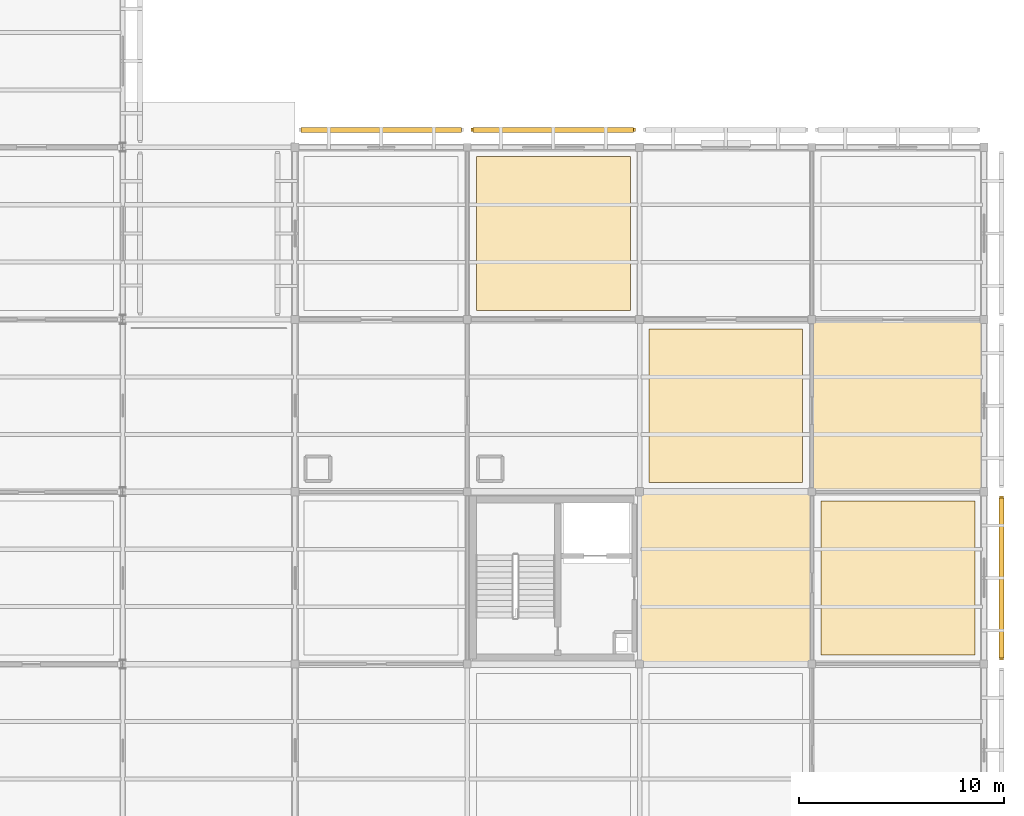
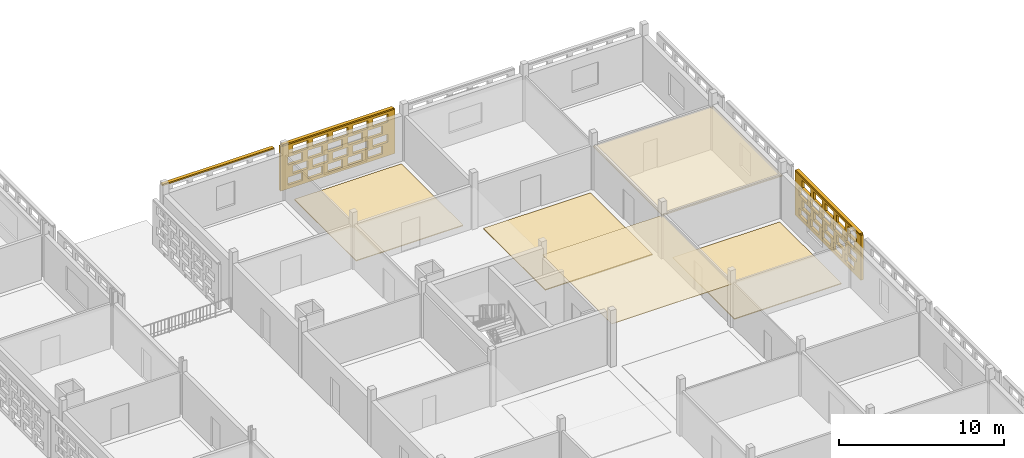
# One storey, part 138 of 140: 7 coverings, 3 shading devices, 40 openings.
"""IFC4 building model written with IfcOpenShell, lengths in metres."""

from ifc_helpers import new_model, si_unit, direction, frame, frame_2d, origin, origin_2d, place, context, subcontext, project, spatial, rectangle, extrude, material, layer, layer_set, type_object, element, save


model = new_model("IFC4")

# Units and contexts
model_context = context("Model", 3, precision=1e-05, world=origin(), true_north=direction((0.0, 1.0)))
body_context = subcontext(model_context, "Body", "Model", "MODEL_VIEW")
ifc_project = project(units=[si_unit("LENGTHUNIT", "METRE"), si_unit("AREAUNIT", "SQUARE_METRE"), si_unit("VOLUMEUNIT", "CUBIC_METRE"), si_unit("PLANEANGLEUNIT", "RADIAN"), si_unit("MASSUNIT", "GRAM", prefix="KILO")], contexts=[model_context])

# Site, building, storey
site_placement = place(None, origin())
site = spatial("IfcSite", under=ifc_project, at=site_placement, CompositionType="ELEMENT")
building_placement = place(site_placement, origin())
building = spatial("IfcBuilding", under=site, at=building_placement, Name="Varnapada Polytechnic", CompositionType="ELEMENT")
storey_placement = place(building_placement, frame((0.0, 0.0, 13.800048828125)))
storey = spatial("IfcBuildingStorey", under=building, at=storey_placement, Name="L03", CompositionType="ELEMENT", Elevation=13.800048828125)

# Coverings
ifc_material_1 = material(Name="Anti-Static Raised Laboratory Flooring")
ifc_layer_1 = layer(ifc_material_1, 0.06005859375)
ifc_layer_set_1 = layer_set([ifc_layer_1], Name="Anti-Static Raised Laboratory Flooring")
covering_type_1 = type_object("IfcCoveringType", Name="Floor Finish FLR-02", PredefinedType="FLOORING", material=ifc_layer_set_1)
for number, where, z_axis, x_axis, name in (
    (1, (155.39990234375, 113.39990234375, 0.0), (0.0, 0.0, 1.0), (1.0, 0.0, 0.0), "L03 floor finish panel (19,14)"),
    (2, (163.800048828125, 105.0, 0.0), (0.0, 0.0, 1.0), (1.0, 0.0, 0.0), "L03 floor finish panel (20,13)"),
    (3, (172.199951171875, 96.60009765625, 0.0), (0.0, 0.0, 1.0), (1.0, 0.0, 0.0), "L03 floor finish panel (21,12)"),
):
    element("IfcCovering", number, at=place(storey_placement, frame(where, z_axis=z_axis, x_axis=x_axis)), inside=storey, type_object=covering_type_1, Name=name, PredefinedType="FLOORING", context=body_context, shape_type="SweptSolid", body=[
        extrude(rectangle(XDim=7.5, YDim=7.5, at=origin_2d()), origin(), (0.0, 0.0, 1.0), 0.06005859375),
    ])
ifc_material_2 = material(Name="Cleanroom Laboratory Metal Pan Ceiling")
ifc_layer_2 = layer(ifc_material_2, 0.034912109375)
ifc_layer_set_2 = layer_set([ifc_layer_2], Name="Cleanroom Laboratory Metal Pan Ceiling")
covering_type_2 = type_object("IfcCoveringType", Name="Suspended Ceiling CLG-06", PredefinedType="CEILING", material=ifc_layer_set_2)
covering_1_placement = place(storey_placement, frame((163.800048828125, 96.60009765625, 3.03271484375), z_axis=(0.0, 0.0, 1.0), x_axis=(1.0, 0.0, 0.0)))
element("IfcCovering", 4, at=covering_1_placement, inside=storey, type_object=covering_type_2, Name="L03 suspended acoustic ceiling (20,12)", PredefinedType="CEILING", context=body_context, shape_type="SweptSolid", body=[
    extrude(rectangle(XDim=8.419921875, YDim=8.419921875, at=origin_2d()), origin(), (0.0, 0.0, 1.0), 0.034912109375),
])
ifc_material_3 = material(Name="Deep Acoustic Auditorium Cloud Baffle")
ifc_layer_3 = layer(ifc_material_3, 0.06494140625)
ifc_layer_set_3 = layer_set([ifc_layer_3], Name="Deep Acoustic Auditorium Cloud Baffle")
covering_type_3 = type_object("IfcCoveringType", Name="Suspended Ceiling CLG-07", PredefinedType="CEILING", material=ifc_layer_set_3)
covering_2_placement = place(storey_placement, frame((172.199951171875, 105.0, 3.017578125), z_axis=(0.0, 0.0, 1.0), x_axis=(1.0, 0.0, 0.0)))
element("IfcCovering", 5, at=covering_2_placement, inside=storey, type_object=covering_type_3, Name="L03 suspended acoustic ceiling (21,13)", PredefinedType="CEILING", context=body_context, shape_type="SweptSolid", body=[
    extrude(rectangle(XDim=8.419921875, YDim=8.419921875, at=origin_2d()), origin(), (0.0, 0.0, 1.0), 0.06494140625),
])

# Covering, openings
ifc_material_4 = material(Name="Earth-toned architectural terracotta screen block", Category="masonry")
ifc_layer_4 = layer(ifc_material_4, 0.1201171875)
ifc_layer_set_4 = layer_set([ifc_layer_4], Name="Earth-toned architectural terracotta screen block")
covering_type_4 = type_object("IfcCoveringType", Name="Terracotta Screen Cladding CLD-01", PredefinedType="CLADDING", material=ifc_layer_set_4)
covering_3_placement = place(storey_placement, frame((151.389892578125, 118.449951171875, 0.0), z_axis=(0.0, 0.0, 1.0), x_axis=(1.0, 0.0, 0.0)))
covering_3 = element("IfcCovering", 6, at=covering_3_placement, inside=storey, type_object=covering_type_4, Name="L03 perforated terracotta block screen (89)", PredefinedType="CLADDING", context=body_context, shape_type="SweptSolid", body=[
    extrude(rectangle(XDim=8.010009765625, YDim=0.179931640625, at=frame_2d((4.0048828125, 0.0))), origin(), (0.0, 0.0, 1.0), 3.320068359375),
])
opening_1_placement = place(covering_3_placement, frame((0.5048828125, 0.0, 0.265625)))
element("IfcOpeningElement", 7, at=opening_1_placement, cuts=covering_3, Name="Screen perforation TBS-L03-088.1", PredefinedType="OPENING", context=body_context, shape_type="SweptSolid", body=[
    extrude(rectangle(XDim=1.0400390625, YDim=0.5810546875, at=frame_2d((0.52001953125, 0.29052734375))), frame((0.0, 0.099853515625, 0.0), z_axis=(0.0, -1.0, 0.0), x_axis=(1.0, 0.0, 0.0)), (0.0, 0.0, 1.0), 0.199951171875),
])
opening_2_placement = place(covering_3_placement, frame((1.905029296875, 0.0, 0.265625)))
element("IfcOpeningElement", 8, at=opening_2_placement, cuts=covering_3, Name="Screen perforation TBS-L03-088.2", PredefinedType="OPENING", context=body_context, shape_type="SweptSolid", body=[
    extrude(rectangle(XDim=1.0400390625, YDim=0.5810546875, at=frame_2d((0.52001953125, 0.29052734375))), frame((0.0, 0.099853515625, 0.0), z_axis=(0.0, -1.0, 0.0), x_axis=(1.0, 0.0, 0.0)), (0.0, 0.0, 1.0), 0.199951171875),
])
opening_3_placement = place(covering_3_placement, frame((3.304931640625, 0.0, 0.265625)))
element("IfcOpeningElement", 9, at=opening_3_placement, cuts=covering_3, Name="Screen perforation TBS-L03-088.3", PredefinedType="OPENING", context=body_context, shape_type="SweptSolid", body=[
    extrude(rectangle(XDim=1.0400390625, YDim=0.5810546875, at=frame_2d((0.52001953125, 0.29052734375))), frame((0.0, 0.099853515625, 0.0), z_axis=(0.0, -1.0, 0.0), x_axis=(1.0, 0.0, 0.0)), (0.0, 0.0, 1.0), 0.199951171875),
])
opening_4_placement = place(covering_3_placement, frame((4.705078125, 0.0, 0.265625)))
element("IfcOpeningElement", 10, at=opening_4_placement, cuts=covering_3, Name="Screen perforation TBS-L03-088.4", PredefinedType="OPENING", context=body_context, shape_type="SweptSolid", body=[
    extrude(rectangle(XDim=1.0400390625, YDim=0.5810546875, at=frame_2d((0.52001953125, 0.29052734375))), frame((0.0, 0.099853515625, 0.0), z_axis=(0.0, -1.0, 0.0), x_axis=(1.0, 0.0, 0.0)), (0.0, 0.0, 1.0), 0.199951171875),
])
opening_5_placement = place(covering_3_placement, frame((6.10498046875, 0.0, 0.265625)))
element("IfcOpeningElement", 11, at=opening_5_placement, cuts=covering_3, Name="Screen perforation TBS-L03-088.5", PredefinedType="OPENING", context=body_context, shape_type="SweptSolid", body=[
    extrude(rectangle(XDim=1.0400390625, YDim=0.5810546875, at=frame_2d((0.52001953125, 0.29052734375))), frame((0.0, 0.099853515625, 0.0), z_axis=(0.0, -1.0, 0.0), x_axis=(1.0, 0.0, 0.0)), (0.0, 0.0, 1.0), 0.199951171875),
])
opening_6_placement = place(covering_3_placement, frame((0.864990234375, 0.0, 1.0126953125)))
element("IfcOpeningElement", 12, at=opening_6_placement, cuts=covering_3, Name="Screen perforation TBS-L03-088.6", PredefinedType="OPENING", context=body_context, shape_type="SweptSolid", body=[
    extrude(rectangle(XDim=1.0400390625, YDim=0.5810546875, at=frame_2d((0.52001953125, 0.29052734375))), frame((0.0, 0.099853515625, 0.0), z_axis=(0.0, -1.0, 0.0), x_axis=(1.0, 0.0, 0.0)), (0.0, 0.0, 1.0), 0.199951171875),
])
opening_7_placement = place(covering_3_placement, frame((2.264892578125, 0.0, 1.0126953125)))
element("IfcOpeningElement", 13, at=opening_7_placement, cuts=covering_3, Name="Screen perforation TBS-L03-088.7", PredefinedType="OPENING", context=body_context, shape_type="SweptSolid", body=[
    extrude(rectangle(XDim=1.0400390625, YDim=0.5810546875, at=frame_2d((0.52001953125, 0.29052734375))), frame((0.0, 0.099853515625, 0.0), z_axis=(0.0, -1.0, 0.0), x_axis=(1.0, 0.0, 0.0)), (0.0, 0.0, 1.0), 0.199951171875),
])
opening_8_placement = place(covering_3_placement, frame((3.6650390625, 0.0, 1.0126953125)))
element("IfcOpeningElement", 14, at=opening_8_placement, cuts=covering_3, Name="Screen perforation TBS-L03-088.8", PredefinedType="OPENING", context=body_context, shape_type="SweptSolid", body=[
    extrude(rectangle(XDim=1.0400390625, YDim=0.5810546875, at=frame_2d((0.52001953125, 0.29052734375))), frame((0.0, 0.099853515625, 0.0), z_axis=(0.0, -1.0, 0.0), x_axis=(1.0, 0.0, 0.0)), (0.0, 0.0, 1.0), 0.199951171875),
])
opening_9_placement = place(covering_3_placement, frame((5.06494140625, 0.0, 1.0126953125)))
element("IfcOpeningElement", 15, at=opening_9_placement, cuts=covering_3, Name="Screen perforation TBS-L03-088.9", PredefinedType="OPENING", context=body_context, shape_type="SweptSolid", body=[
    extrude(rectangle(XDim=1.0400390625, YDim=0.5810546875, at=frame_2d((0.52001953125, 0.29052734375))), frame((0.0, 0.099853515625, 0.0), z_axis=(0.0, -1.0, 0.0), x_axis=(1.0, 0.0, 0.0)), (0.0, 0.0, 1.0), 0.199951171875),
])
opening_10_placement = place(covering_3_placement, frame((6.465087890625, 0.0, 1.0126953125)))
element("IfcOpeningElement", 16, at=opening_10_placement, cuts=covering_3, Name="Screen perforation TBS-L03-088.10", PredefinedType="OPENING", context=body_context, shape_type="SweptSolid", body=[
    extrude(rectangle(XDim=1.0400390625, YDim=0.5810546875, at=frame_2d((0.52001953125, 0.29052734375))), frame((0.0, 0.099853515625, 0.0), z_axis=(0.0, -1.0, 0.0), x_axis=(1.0, 0.0, 0.0)), (0.0, 0.0, 1.0), 0.199951171875),
])
opening_11_placement = place(covering_3_placement, frame((0.5048828125, 0.0, 1.759521484375)))
element("IfcOpeningElement", 17, at=opening_11_placement, cuts=covering_3, Name="Screen perforation TBS-L03-088.11", PredefinedType="OPENING", context=body_context, shape_type="SweptSolid", body=[
    extrude(rectangle(XDim=1.0400390625, YDim=0.5810546875, at=frame_2d((0.52001953125, 0.29052734375))), frame((0.0, 0.099853515625, 0.0), z_axis=(0.0, -1.0, 0.0), x_axis=(1.0, 0.0, 0.0)), (0.0, 0.0, 1.0), 0.199951171875),
])
opening_12_placement = place(covering_3_placement, frame((1.905029296875, 0.0, 1.759521484375)))
element("IfcOpeningElement", 18, at=opening_12_placement, cuts=covering_3, Name="Screen perforation TBS-L03-088.12", PredefinedType="OPENING", context=body_context, shape_type="SweptSolid", body=[
    extrude(rectangle(XDim=1.0400390625, YDim=0.5810546875, at=frame_2d((0.52001953125, 0.29052734375))), frame((0.0, 0.099853515625, 0.0), z_axis=(0.0, -1.0, 0.0), x_axis=(1.0, 0.0, 0.0)), (0.0, 0.0, 1.0), 0.199951171875),
])
opening_13_placement = place(covering_3_placement, frame((3.304931640625, 0.0, 1.759521484375)))
element("IfcOpeningElement", 19, at=opening_13_placement, cuts=covering_3, Name="Screen perforation TBS-L03-088.13", PredefinedType="OPENING", context=body_context, shape_type="SweptSolid", body=[
    extrude(rectangle(XDim=1.0400390625, YDim=0.5810546875, at=frame_2d((0.52001953125, 0.29052734375))), frame((0.0, 0.099853515625, 0.0), z_axis=(0.0, -1.0, 0.0), x_axis=(1.0, 0.0, 0.0)), (0.0, 0.0, 1.0), 0.199951171875),
])
opening_14_placement = place(covering_3_placement, frame((4.705078125, 0.0, 1.759521484375)))
element("IfcOpeningElement", 20, at=opening_14_placement, cuts=covering_3, Name="Screen perforation TBS-L03-088.14", PredefinedType="OPENING", context=body_context, shape_type="SweptSolid", body=[
    extrude(rectangle(XDim=1.0400390625, YDim=0.5810546875, at=frame_2d((0.52001953125, 0.29052734375))), frame((0.0, 0.099853515625, 0.0), z_axis=(0.0, -1.0, 0.0), x_axis=(1.0, 0.0, 0.0)), (0.0, 0.0, 1.0), 0.199951171875),
])
opening_15_placement = place(covering_3_placement, frame((6.10498046875, 0.0, 1.759521484375)))
element("IfcOpeningElement", 21, at=opening_15_placement, cuts=covering_3, Name="Screen perforation TBS-L03-088.15", PredefinedType="OPENING", context=body_context, shape_type="SweptSolid", body=[
    extrude(rectangle(XDim=1.0400390625, YDim=0.5810546875, at=frame_2d((0.52001953125, 0.29052734375))), frame((0.0, 0.099853515625, 0.0), z_axis=(0.0, -1.0, 0.0), x_axis=(1.0, 0.0, 0.0)), (0.0, 0.0, 1.0), 0.199951171875),
])
opening_16_placement = place(covering_3_placement, frame((0.864990234375, 0.0, 2.506591796875)))
element("IfcOpeningElement", 22, at=opening_16_placement, cuts=covering_3, Name="Screen perforation TBS-L03-088.16", PredefinedType="OPENING", context=body_context, shape_type="SweptSolid", body=[
    extrude(rectangle(XDim=1.0400390625, YDim=0.5810546875, at=frame_2d((0.52001953125, 0.29052734375))), frame((0.0, 0.099853515625, 0.0), z_axis=(0.0, -1.0, 0.0), x_axis=(1.0, 0.0, 0.0)), (0.0, 0.0, 1.0), 0.199951171875),
])
opening_17_placement = place(covering_3_placement, frame((2.264892578125, 0.0, 2.506591796875)))
element("IfcOpeningElement", 23, at=opening_17_placement, cuts=covering_3, Name="Screen perforation TBS-L03-088.17", PredefinedType="OPENING", context=body_context, shape_type="SweptSolid", body=[
    extrude(rectangle(XDim=1.0400390625, YDim=0.5810546875, at=frame_2d((0.52001953125, 0.29052734375))), frame((0.0, 0.099853515625, 0.0), z_axis=(0.0, -1.0, 0.0), x_axis=(1.0, 0.0, 0.0)), (0.0, 0.0, 1.0), 0.199951171875),
])
opening_18_placement = place(covering_3_placement, frame((3.6650390625, 0.0, 2.506591796875)))
element("IfcOpeningElement", 24, at=opening_18_placement, cuts=covering_3, Name="Screen perforation TBS-L03-088.18", PredefinedType="OPENING", context=body_context, shape_type="SweptSolid", body=[
    extrude(rectangle(XDim=1.0400390625, YDim=0.5810546875, at=frame_2d((0.52001953125, 0.29052734375))), frame((0.0, 0.099853515625, 0.0), z_axis=(0.0, -1.0, 0.0), x_axis=(1.0, 0.0, 0.0)), (0.0, 0.0, 1.0), 0.199951171875),
])
opening_19_placement = place(covering_3_placement, frame((5.06494140625, 0.0, 2.506591796875)))
element("IfcOpeningElement", 25, at=opening_19_placement, cuts=covering_3, Name="Screen perforation TBS-L03-088.19", PredefinedType="OPENING", context=body_context, shape_type="SweptSolid", body=[
    extrude(rectangle(XDim=1.0400390625, YDim=0.5810546875, at=frame_2d((0.52001953125, 0.29052734375))), frame((0.0, 0.099853515625, 0.0), z_axis=(0.0, -1.0, 0.0), x_axis=(1.0, 0.0, 0.0)), (0.0, 0.0, 1.0), 0.199951171875),
])
opening_20_placement = place(covering_3_placement, frame((6.465087890625, 0.0, 2.506591796875)))
element("IfcOpeningElement", 26, at=opening_20_placement, cuts=covering_3, Name="Screen perforation TBS-L03-088.20", PredefinedType="OPENING", context=body_context, shape_type="SweptSolid", body=[
    extrude(rectangle(XDim=1.0400390625, YDim=0.5810546875, at=frame_2d((0.52001953125, 0.29052734375))), frame((0.0, 0.099853515625, 0.0), z_axis=(0.0, -1.0, 0.0), x_axis=(1.0, 0.0, 0.0)), (0.0, 0.0, 1.0), 0.199951171875),
])

covering_4_placement = place(storey_placement, frame((177.25, 100.60009765625, 0.0), z_axis=(0.0, 0.0, 1.0), x_axis=(0.0, -1.0, 0.0)))
covering_4 = element("IfcCovering", 27, at=covering_4_placement, inside=storey, type_object=covering_type_4, Name="L03 perforated terracotta block screen (97)", PredefinedType="CLADDING", context=body_context, shape_type="SweptSolid", body=[
    extrude(rectangle(XDim=8.0, YDim=0.179931640625, at=frame_2d((4.0, 0.0))), origin(), (0.0, 0.0, 1.0), 3.320068359375),
])
opening_21_placement = place(covering_4_placement, frame((0.5, 0.0, 0.265625)))
element("IfcOpeningElement", 28, at=opening_21_placement, cuts=covering_4, Name="Screen perforation TBS-L03-096.1", PredefinedType="OPENING", context=body_context, shape_type="SweptSolid", body=[
    extrude(rectangle(XDim=1.0400390625, YDim=0.5810546875, at=frame_2d((0.52001953125, 0.29052734375))), frame((0.0, 0.099853515625, 0.0), z_axis=(0.0, -1.0, 0.0), x_axis=(1.0, 0.0, 0.0)), (0.0, 0.0, 1.0), 0.199951171875),
])
opening_22_placement = place(covering_4_placement, frame((1.89990234375, 0.0, 0.265625)))
element("IfcOpeningElement", 29, at=opening_22_placement, cuts=covering_4, Name="Screen perforation TBS-L03-096.2", PredefinedType="OPENING", context=body_context, shape_type="SweptSolid", body=[
    extrude(rectangle(XDim=1.0400390625, YDim=0.5810546875, at=frame_2d((0.52001953125, 0.29052734375))), frame((0.0, 0.099853515625, 0.0), z_axis=(0.0, -1.0, 0.0), x_axis=(1.0, 0.0, 0.0)), (0.0, 0.0, 1.0), 0.199951171875),
])
opening_23_placement = place(covering_4_placement, frame((3.300048828125, 0.0, 0.265625)))
element("IfcOpeningElement", 30, at=opening_23_placement, cuts=covering_4, Name="Screen perforation TBS-L03-096.3", PredefinedType="OPENING", context=body_context, shape_type="SweptSolid", body=[
    extrude(rectangle(XDim=1.0400390625, YDim=0.5810546875, at=frame_2d((0.52001953125, 0.29052734375))), frame((0.0, 0.099853515625, 0.0), z_axis=(0.0, -1.0, 0.0), x_axis=(1.0, 0.0, 0.0)), (0.0, 0.0, 1.0), 0.199951171875),
])
opening_24_placement = place(covering_4_placement, frame((4.699951171875, 0.0, 0.265625)))
element("IfcOpeningElement", 31, at=opening_24_placement, cuts=covering_4, Name="Screen perforation TBS-L03-096.4", PredefinedType="OPENING", context=body_context, shape_type="SweptSolid", body=[
    extrude(rectangle(XDim=1.0400390625, YDim=0.5810546875, at=frame_2d((0.52001953125, 0.29052734375))), frame((0.0, 0.099853515625, 0.0), z_axis=(0.0, -1.0, 0.0), x_axis=(1.0, 0.0, 0.0)), (0.0, 0.0, 1.0), 0.199951171875),
])
opening_25_placement = place(covering_4_placement, frame((6.10009765625, 0.0, 0.265625)))
element("IfcOpeningElement", 32, at=opening_25_placement, cuts=covering_4, Name="Screen perforation TBS-L03-096.5", PredefinedType="OPENING", context=body_context, shape_type="SweptSolid", body=[
    extrude(rectangle(XDim=1.0400390625, YDim=0.5810546875, at=frame_2d((0.52001953125, 0.29052734375))), frame((0.0, 0.099853515625, 0.0), z_axis=(0.0, -1.0, 0.0), x_axis=(1.0, 0.0, 0.0)), (0.0, 0.0, 1.0), 0.199951171875),
])
opening_26_placement = place(covering_4_placement, frame((0.860107421875, 0.0, 1.0126953125)))
element("IfcOpeningElement", 33, at=opening_26_placement, cuts=covering_4, Name="Screen perforation TBS-L03-096.6", PredefinedType="OPENING", context=body_context, shape_type="SweptSolid", body=[
    extrude(rectangle(XDim=1.0400390625, YDim=0.5810546875, at=frame_2d((0.52001953125, 0.29052734375))), frame((0.0, 0.099853515625, 0.0), z_axis=(0.0, -1.0, 0.0), x_axis=(1.0, 0.0, 0.0)), (0.0, 0.0, 1.0), 0.199951171875),
])
opening_27_placement = place(covering_4_placement, frame((2.260009765625, 0.0, 1.0126953125)))
element("IfcOpeningElement", 34, at=opening_27_placement, cuts=covering_4, Name="Screen perforation TBS-L03-096.7", PredefinedType="OPENING", context=body_context, shape_type="SweptSolid", body=[
    extrude(rectangle(XDim=1.0400390625, YDim=0.5810546875, at=frame_2d((0.52001953125, 0.29052734375))), frame((0.0, 0.099853515625, 0.0), z_axis=(0.0, -1.0, 0.0), x_axis=(1.0, 0.0, 0.0)), (0.0, 0.0, 1.0), 0.199951171875),
])
opening_28_placement = place(covering_4_placement, frame((3.659912109375, 0.0, 1.0126953125)))
element("IfcOpeningElement", 35, at=opening_28_placement, cuts=covering_4, Name="Screen perforation TBS-L03-096.8", PredefinedType="OPENING", context=body_context, shape_type="SweptSolid", body=[
    extrude(rectangle(XDim=1.0400390625, YDim=0.5810546875, at=frame_2d((0.52001953125, 0.29052734375))), frame((0.0, 0.099853515625, 0.0), z_axis=(0.0, -1.0, 0.0), x_axis=(1.0, 0.0, 0.0)), (0.0, 0.0, 1.0), 0.199951171875),
])
opening_29_placement = place(covering_4_placement, frame((5.06005859375, 0.0, 1.0126953125)))
element("IfcOpeningElement", 36, at=opening_29_placement, cuts=covering_4, Name="Screen perforation TBS-L03-096.9", PredefinedType="OPENING", context=body_context, shape_type="SweptSolid", body=[
    extrude(rectangle(XDim=1.0400390625, YDim=0.5810546875, at=frame_2d((0.52001953125, 0.29052734375))), frame((0.0, 0.099853515625, 0.0), z_axis=(0.0, -1.0, 0.0), x_axis=(1.0, 0.0, 0.0)), (0.0, 0.0, 1.0), 0.199951171875),
])
opening_30_placement = place(covering_4_placement, frame((6.4599609375, 0.0, 1.0126953125)))
element("IfcOpeningElement", 37, at=opening_30_placement, cuts=covering_4, Name="Screen perforation TBS-L03-096.10", PredefinedType="OPENING", context=body_context, shape_type="SweptSolid", body=[
    extrude(rectangle(XDim=1.0400390625, YDim=0.5810546875, at=frame_2d((0.52001953125, 0.29052734375))), frame((0.0, 0.099853515625, 0.0), z_axis=(0.0, -1.0, 0.0), x_axis=(1.0, 0.0, 0.0)), (0.0, 0.0, 1.0), 0.199951171875),
])
opening_31_placement = place(covering_4_placement, frame((0.5, 0.0, 1.759521484375)))
element("IfcOpeningElement", 38, at=opening_31_placement, cuts=covering_4, Name="Screen perforation TBS-L03-096.11", PredefinedType="OPENING", context=body_context, shape_type="SweptSolid", body=[
    extrude(rectangle(XDim=1.0400390625, YDim=0.5810546875, at=frame_2d((0.52001953125, 0.29052734375))), frame((0.0, 0.099853515625, 0.0), z_axis=(0.0, -1.0, 0.0), x_axis=(1.0, 0.0, 0.0)), (0.0, 0.0, 1.0), 0.199951171875),
])
opening_32_placement = place(covering_4_placement, frame((1.89990234375, 0.0, 1.759521484375)))
element("IfcOpeningElement", 39, at=opening_32_placement, cuts=covering_4, Name="Screen perforation TBS-L03-096.12", PredefinedType="OPENING", context=body_context, shape_type="SweptSolid", body=[
    extrude(rectangle(XDim=1.0400390625, YDim=0.5810546875, at=frame_2d((0.52001953125, 0.29052734375))), frame((0.0, 0.099853515625, 0.0), z_axis=(0.0, -1.0, 0.0), x_axis=(1.0, 0.0, 0.0)), (0.0, 0.0, 1.0), 0.199951171875),
])
opening_33_placement = place(covering_4_placement, frame((3.300048828125, 0.0, 1.759521484375)))
element("IfcOpeningElement", 40, at=opening_33_placement, cuts=covering_4, Name="Screen perforation TBS-L03-096.13", PredefinedType="OPENING", context=body_context, shape_type="SweptSolid", body=[
    extrude(rectangle(XDim=1.0400390625, YDim=0.5810546875, at=frame_2d((0.52001953125, 0.29052734375))), frame((0.0, 0.099853515625, 0.0), z_axis=(0.0, -1.0, 0.0), x_axis=(1.0, 0.0, 0.0)), (0.0, 0.0, 1.0), 0.199951171875),
])
opening_34_placement = place(covering_4_placement, frame((4.699951171875, 0.0, 1.759521484375)))
element("IfcOpeningElement", 41, at=opening_34_placement, cuts=covering_4, Name="Screen perforation TBS-L03-096.14", PredefinedType="OPENING", context=body_context, shape_type="SweptSolid", body=[
    extrude(rectangle(XDim=1.0400390625, YDim=0.5810546875, at=frame_2d((0.52001953125, 0.29052734375))), frame((0.0, 0.099853515625, 0.0), z_axis=(0.0, -1.0, 0.0), x_axis=(1.0, 0.0, 0.0)), (0.0, 0.0, 1.0), 0.199951171875),
])
opening_35_placement = place(covering_4_placement, frame((6.10009765625, 0.0, 1.759521484375)))
element("IfcOpeningElement", 42, at=opening_35_placement, cuts=covering_4, Name="Screen perforation TBS-L03-096.15", PredefinedType="OPENING", context=body_context, shape_type="SweptSolid", body=[
    extrude(rectangle(XDim=1.0400390625, YDim=0.5810546875, at=frame_2d((0.52001953125, 0.29052734375))), frame((0.0, 0.099853515625, 0.0), z_axis=(0.0, -1.0, 0.0), x_axis=(1.0, 0.0, 0.0)), (0.0, 0.0, 1.0), 0.199951171875),
])
opening_36_placement = place(covering_4_placement, frame((0.860107421875, 0.0, 2.506591796875)))
element("IfcOpeningElement", 43, at=opening_36_placement, cuts=covering_4, Name="Screen perforation TBS-L03-096.16", PredefinedType="OPENING", context=body_context, shape_type="SweptSolid", body=[
    extrude(rectangle(XDim=1.0400390625, YDim=0.5810546875, at=frame_2d((0.52001953125, 0.29052734375))), frame((0.0, 0.099853515625, 0.0), z_axis=(0.0, -1.0, 0.0), x_axis=(1.0, 0.0, 0.0)), (0.0, 0.0, 1.0), 0.199951171875),
])
opening_37_placement = place(covering_4_placement, frame((2.260009765625, 0.0, 2.506591796875)))
element("IfcOpeningElement", 44, at=opening_37_placement, cuts=covering_4, Name="Screen perforation TBS-L03-096.17", PredefinedType="OPENING", context=body_context, shape_type="SweptSolid", body=[
    extrude(rectangle(XDim=1.0400390625, YDim=0.5810546875, at=frame_2d((0.52001953125, 0.29052734375))), frame((0.0, 0.099853515625, 0.0), z_axis=(0.0, -1.0, 0.0), x_axis=(1.0, 0.0, 0.0)), (0.0, 0.0, 1.0), 0.199951171875),
])
opening_38_placement = place(covering_4_placement, frame((3.659912109375, 0.0, 2.506591796875)))
element("IfcOpeningElement", 45, at=opening_38_placement, cuts=covering_4, Name="Screen perforation TBS-L03-096.18", PredefinedType="OPENING", context=body_context, shape_type="SweptSolid", body=[
    extrude(rectangle(XDim=1.0400390625, YDim=0.5810546875, at=frame_2d((0.52001953125, 0.29052734375))), frame((0.0, 0.099853515625, 0.0), z_axis=(0.0, -1.0, 0.0), x_axis=(1.0, 0.0, 0.0)), (0.0, 0.0, 1.0), 0.199951171875),
])
opening_39_placement = place(covering_4_placement, frame((5.06005859375, 0.0, 2.506591796875)))
element("IfcOpeningElement", 46, at=opening_39_placement, cuts=covering_4, Name="Screen perforation TBS-L03-096.19", PredefinedType="OPENING", context=body_context, shape_type="SweptSolid", body=[
    extrude(rectangle(XDim=1.0400390625, YDim=0.5810546875, at=frame_2d((0.52001953125, 0.29052734375))), frame((0.0, 0.099853515625, 0.0), z_axis=(0.0, -1.0, 0.0), x_axis=(1.0, 0.0, 0.0)), (0.0, 0.0, 1.0), 0.199951171875),
])
opening_40_placement = place(covering_4_placement, frame((6.4599609375, 0.0, 2.506591796875)))
element("IfcOpeningElement", 47, at=opening_40_placement, cuts=covering_4, Name="Screen perforation TBS-L03-096.20", PredefinedType="OPENING", context=body_context, shape_type="SweptSolid", body=[
    extrude(rectangle(XDim=1.0400390625, YDim=0.5810546875, at=frame_2d((0.52001953125, 0.29052734375))), frame((0.0, 0.099853515625, 0.0), z_axis=(0.0, -1.0, 0.0), x_axis=(1.0, 0.0, 0.0)), (0.0, 0.0, 1.0), 0.199951171875),
])

# Shading devices
ifc_layer_5 = layer(ifc_material_4, 0.179931640625)
ifc_layer_set_5 = layer_set([ifc_layer_5], Name="Earth-toned architectural terracotta screen block")
shading_device_type = type_object("IfcShadingDeviceType", Name="Terracotta Screen SCR-01", PredefinedType="USERDEFINED", material=ifc_layer_set_5)
for number, where, z_axis, x_axis, name in (
    (48, (147.0048828125, 118.449951171875, 3.309814453125), (0.0, 0.0, 1.0), (1.0, 0.0, 0.0), "L03 perforated terracotta screen hood 408"),
    (49, (155.39501953125, 118.449951171875, 3.309814453125), (0.0, 0.0, 1.0), (1.0, 0.0, 0.0), "L03 perforated terracotta screen hood 411"),
):
    element("IfcShadingDevice", number, at=place(storey_placement, frame(where, z_axis=z_axis, x_axis=x_axis)), inside=storey, type_object=shading_device_type, Name=name, ObjectType="SCREEN", PredefinedType="USERDEFINED", context=body_context, shape_type="SweptSolid", body=[
        extrude(rectangle(XDim=7.81005859375, YDim=0.239990234375, at=origin_2d()), origin(), (0.0, 0.0, 1.0), 0.10009765625),
    ])
shading_device_placement = place(storey_placement, frame((177.25, 96.60009765625, 3.309814453125), z_axis=(0.0, 0.0, 1.0), x_axis=(0.0, -1.0, 0.0)))
element("IfcShadingDevice", 50, at=shading_device_placement, inside=storey, type_object=shading_device_type, Name="L03 perforated terracotta screen hood 419", ObjectType="SCREEN", PredefinedType="USERDEFINED", context=body_context, shape_type="SweptSolid", body=[
    extrude(rectangle(XDim=7.800048828125, YDim=0.239990234375, at=origin_2d()), origin(), (0.0, 0.0, 1.0), 0.10009765625),
])

save(model, "model.ifc")
